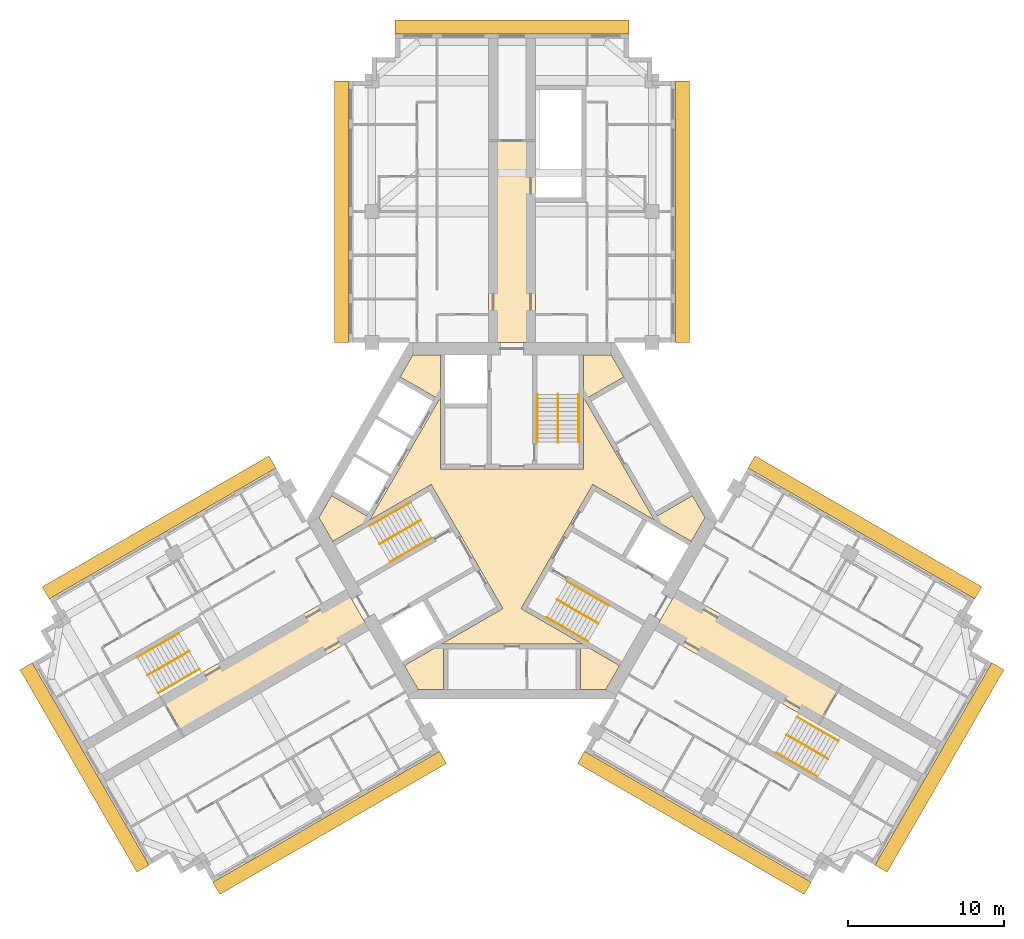
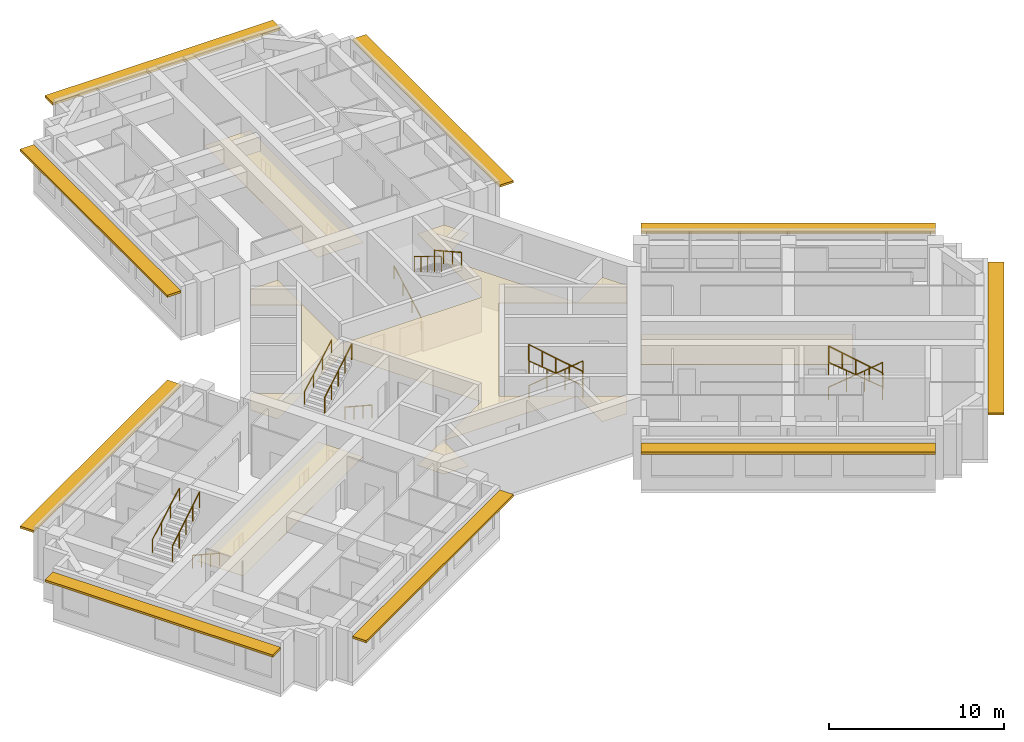
# One storey, part 10 of 10: 15 railings, 4 coverings, 3 shading devices.
"""IFC4 building model written with IfcOpenShell, lengths in metres."""

from ifc_helpers import new_model, si_unit, direction, frame, origin, origin_2d, place, context, subcontext, project, spatial, polyline, rectangle, circle, outline, extrude, material, layer, layer_set, type_object, element, save


model = new_model("IFC4")

# Units and contexts
model_context = context("Model", 3, precision=1e-05, world=origin(), true_north=direction((0.0, 1.0)))
body_context = subcontext(model_context, "Body", "Model", "MODEL_VIEW")
ifc_project = project(units=[si_unit("LENGTHUNIT", "METRE"), si_unit("AREAUNIT", "SQUARE_METRE"), si_unit("VOLUMEUNIT", "CUBIC_METRE"), si_unit("PLANEANGLEUNIT", "RADIAN"), si_unit("MASSUNIT", "GRAM", prefix="KILO")], contexts=[model_context])

# Site, building, storey
site_placement = place(None, origin())
site = spatial("IfcSite", under=ifc_project, at=site_placement, CompositionType="ELEMENT")
building_placement = place(site_placement, origin())
building = spatial("IfcBuilding", under=site, at=building_placement, Name="Impinga Residences", CompositionType="ELEMENT")
storey_placement = place(building_placement, frame((0.0, 0.0, 271.0)))
storey = spatial("IfcBuildingStorey", under=building, at=storey_placement, Name="L68", CompositionType="ELEMENT", Elevation=271.0)

# Coverings
ifc_material_1 = material(Name="Plasterboard 15 mm on steel hangers", Category="steel")
ifc_layer_1 = layer(ifc_material_1, 0.014892578125)
ifc_layer_set_1 = layer_set([ifc_layer_1], Name="Plasterboard 15 mm on steel hangers")
covering_type_1 = type_object("IfcCoveringType", Name="CL1 corridor ceiling, 15 mm plasterboard on hangers", PredefinedType="CEILING", material=ifc_layer_set_1)
covering_1_placement = place(storey_placement, frame((0.0, 0.0, 2.39990234375)))
element("IfcCovering", 1, at=covering_1_placement, inside=storey, type_object=covering_type_1, Name="Corridor ceiling CL1 L68-N00", PredefinedType="CEILING", context=body_context, shape_type="SweptSolid", body=[
    extrude(outline(polyline([(-1.5, 11.431640625), (1.5, 11.431640625), (1.5, 24.33154296875), (-1.5, 24.33154296875), (-1.5, 11.431640625)])), origin(), (0.0, 0.0, 1.0), 0.01513671875),
])
covering_2_placement = place(storey_placement, frame((0.0, 0.0, 2.39990234375)))
element("IfcCovering", 2, at=covering_2_placement, inside=storey, type_object=covering_type_1, Name="Corridor ceiling CL1 L68-W00", PredefinedType="CEILING", context=body_context, shape_type="SweptSolid", body=[
    extrude(outline(polyline([(-9.14990234375, -7.014892578125), (-10.64990234375, -4.416748046875), (-22.5146484375, -11.266845703125), (-21.0146484375, -13.86474609375), (-9.14990234375, -7.014892578125)])), origin(), (0.0, 0.0, 1.0), 0.01513671875),
])
covering_3_placement = place(storey_placement, frame((0.0, 0.0, 2.39990234375)))
element("IfcCovering", 3, at=covering_3_placement, inside=storey, type_object=covering_type_1, Name="Corridor ceiling CL1 L68-E00", PredefinedType="CEILING", context=body_context, shape_type="SweptSolid", body=[
    extrude(outline(polyline([(10.64990234375, -4.416748046875), (9.14990234375, -7.014892578125), (19.62890625, -13.064697265625), (21.12890625, -10.466796875), (10.64990234375, -4.416748046875)])), origin(), (0.0, 0.0, 1.0), 0.01513671875),
])
ifc_material_2 = material(Name="Mineral fibre tiles 20 mm on exposed grid", Category="mineral fibre")
ifc_layer_2 = layer(ifc_material_2, 0.02001953125)
ifc_layer_set_2 = layer_set([ifc_layer_2], Name="CL2 lift lobby ceiling, 20 mm mineral fibre tiles")
covering_type_2 = type_object("IfcCoveringType", Name="CL2 lift lobby ceiling, 20 mm mineral fibre tiles", PredefinedType="CEILING", material=ifc_layer_set_2)
covering_4_placement = place(storey_placement, frame((0.0, 0.0, 2.39990234375)))
element("IfcCovering", 4, at=covering_4_placement, inside=storey, type_object=covering_type_2, Name="Lift lobby ceiling CL2 L68-C01", PredefinedType="CEILING", context=body_context, shape_type="SweptSolid", body=[
    extrude(outline(polyline([(12.3916015625, 0.199951171875), (11.507080078125, -1.33203125), (5.183837890625, 2.318603515625), (0.583984375, -5.648681640625), (6.9072265625, -9.299560546875), (6.022705078125, -10.83154296875), (4.39990234375, -10.83154296875), (4.39990234375, -7.931640625), (-4.39990234375, -7.931640625), (-4.39990234375, -10.83154296875), (-6.022705078125, -10.83154296875), (-6.9072265625, -9.299560546875), (-0.583984375, -5.648681640625), (-5.183837890625, 2.318603515625), (-11.507080078125, -1.33203125), (-12.3916015625, 0.199951171875), (-11.580322265625, 1.605224609375), (-9.06884765625, 0.1552734375), (-4.6689453125, 7.7763671875), (-7.180419921875, 9.226318359375), (-6.369140625, 10.631591796875), (-4.60009765625, 10.631591796875), (-4.60009765625, 3.330078125), (4.60009765625, 3.330078125), (4.60009765625, 10.631591796875), (6.369140625, 10.631591796875), (7.180419921875, 9.226318359375), (4.6689453125, 7.7763671875), (9.06884765625, 0.1552734375), (11.580322265625, 1.605224609375), (12.3916015625, 0.199951171875)])), origin(), (0.0, 0.0, 1.0), 0.02001953125),
])

# Railings
ifc_material_3 = material(Name="Steel guard, powder coated", Category="steel")
railing_type_1 = type_object("IfcRailingType", Name="GR1 stair guard 1100", PredefinedType="GUARDRAIL", material=ifc_material_3)
railing_1_placement = place(storey_placement, frame((2.949951171875, 8.110107421875, 1.875)))
element("IfcRailing", 5, at=railing_1_placement, inside=storey, type_object=railing_type_1, Name="Stair guard GR1 ST1 L68", PredefinedType="GUARDRAIL", context=body_context, shape_type="SweptSolid", body=[
    extrude(circle(Radius=0.02392578125, at=origin_2d()), frame((0.0, 0.0, 1.076171875), z_axis=(0.0, -0.854177636135, 0.519981313056), x_axis=(1.0, 0.0, 0.0)), (0.0, 0.0, 1.0), 3.60595703125),
    extrude(circle(Radius=0.02099609375, at=origin_2d()), origin(), (0.0, 0.0, 1.0), 1.052001953125),
    extrude(circle(Radius=0.02099609375, at=origin_2d()), frame((0.0, -0.77001953125, 0.46875)), (0.0, 0.0, 1.0), 1.052001953125),
    extrude(circle(Radius=0.02099609375, at=origin_2d()), frame((0.0, -1.5400390625, 0.9375)), (0.0, 0.0, 1.0), 1.052001953125),
    extrude(circle(Radius=0.02099609375, at=origin_2d()), frame((0.0, -2.31005859375, 1.40625)), (0.0, 0.0, 1.0), 1.052001953125),
    extrude(circle(Radius=0.02099609375, at=origin_2d()), frame((0.0, -3.080078125, 1.875)), (0.0, 0.0, 1.0), 1.052001953125),
])
railing_2_placement = place(storey_placement, frame((-8.49853515625, -1.500244140625, 1.875)))
element("IfcRailing", 6, at=railing_2_placement, inside=storey, type_object=railing_type_1, Name="Stair guard GR1 ST2 L68", PredefinedType="GUARDRAIL", context=body_context, shape_type="SweptSolid", body=[
    extrude(circle(Radius=0.02392578125, at=origin_2d()), frame((0.0, 0.0, 1.076171875), z_axis=(0.739746383972, 0.427084037168, 0.519975492303), x_axis=(-0.499992328818, 0.866029832698, 0.0)), (0.0, 0.0, 1.0), 3.60595703125),
    extrude(circle(Radius=0.02099609375, at=origin_2d()), origin(), (0.0, 0.0, 1.0), 1.052001953125),
    extrude(circle(Radius=0.02099609375, at=origin_2d()), frame((0.6669921875, 0.385009765625, 0.46875)), (0.0, 0.0, 1.0), 1.052001953125),
    extrude(circle(Radius=0.02099609375, at=origin_2d()), frame((1.333740234375, 0.77001953125, 0.9375)), (0.0, 0.0, 1.0), 1.052001953125),
    extrude(circle(Radius=0.02099609375, at=origin_2d()), frame((2.00048828125, 1.155029296875, 1.40625)), (0.0, 0.0, 1.0), 1.052001953125),
    extrude(circle(Radius=0.02099609375, at=origin_2d()), frame((2.66748046875, 1.5400390625, 1.875)), (0.0, 0.0, 1.0), 1.052001953125),
])
railing_3_placement = place(storey_placement, frame((5.548583984375, -6.60986328125, 1.875)))
element("IfcRailing", 7, at=railing_3_placement, inside=storey, type_object=railing_type_1, Name="Stair guard GR1 ST3 L68", PredefinedType="GUARDRAIL", context=body_context, shape_type="SweptSolid", body=[
    extrude(circle(Radius=0.02392578125, at=origin_2d()), frame((0.0, 0.0, 1.076171875), z_axis=(-0.739746383972, 0.427084037168, 0.519975492303), x_axis=(-0.499992328818, -0.866029832698, 0.0)), (0.0, 0.0, 1.0), 3.60595703125),
    extrude(circle(Radius=0.02099609375, at=origin_2d()), origin(), (0.0, 0.0, 1.0), 1.052001953125),
    extrude(circle(Radius=0.02099609375, at=origin_2d()), frame((-0.6669921875, 0.385009765625, 0.46875)), (0.0, 0.0, 1.0), 1.052001953125),
    extrude(circle(Radius=0.02099609375, at=origin_2d()), frame((-1.333740234375, 0.77001953125, 0.9375)), (0.0, 0.0, 1.0), 1.052001953125),
    extrude(circle(Radius=0.02099609375, at=origin_2d()), frame((-2.00048828125, 1.155029296875, 1.40625)), (0.0, 0.0, 1.0), 1.052001953125),
    extrude(circle(Radius=0.02099609375, at=origin_2d()), frame((-2.66748046875, 1.5400390625, 1.875)), (0.0, 0.0, 1.0), 1.052001953125),
])
railing_4_placement = place(storey_placement, frame((-23.3837890625, -9.921142578125, 1.875)))
element("IfcRailing", 8, at=railing_4_placement, inside=storey, type_object=railing_type_1, Name="Stair guard GR1 WS2 L68", PredefinedType="GUARDRAIL", context=body_context, shape_type="SweptSolid", body=[
    extrude(circle(Radius=0.02392578125, at=origin_2d()), frame((0.0, 0.0, 1.076171875), z_axis=(0.739715726454, 0.427105428144, 0.52000153585), x_axis=(-0.500026652407, 0.866010015463, 0.0)), (0.0, 0.0, 1.0), 3.605712890625),
    extrude(circle(Radius=0.02099609375, at=origin_2d()), origin(), (0.0, 0.0, 1.0), 1.052001953125),
    extrude(circle(Radius=0.02099609375, at=origin_2d()), frame((0.666748046875, 0.385009765625, 0.46875)), (0.0, 0.0, 1.0), 1.052001953125),
    extrude(circle(Radius=0.02099609375, at=origin_2d()), frame((1.33349609375, 0.77001953125, 0.9375)), (0.0, 0.0, 1.0), 1.052001953125),
    extrude(circle(Radius=0.02099609375, at=origin_2d()), frame((2.00048828125, 1.155029296875, 1.40625)), (0.0, 0.0, 1.0), 1.052001953125),
    extrude(circle(Radius=0.02099609375, at=origin_2d()), frame((2.667236328125, 1.5400390625, 1.875)), (0.0, 0.0, 1.0), 1.052001953125),
])
railing_5_placement = place(storey_placement, frame((20.283935546875, -15.29052734375, 1.875)))
element("IfcRailing", 9, at=railing_5_placement, inside=storey, type_object=railing_type_1, Name="Stair guard GR1 WS3 L68", PredefinedType="GUARDRAIL", context=body_context, shape_type="SweptSolid", body=[
    extrude(circle(Radius=0.02392578125, at=origin_2d()), frame((0.0, 0.0, 1.076171875), z_axis=(-0.739746383972, 0.427084037168, 0.519975492303), x_axis=(-0.499992328818, -0.866029832698, 0.0)), (0.0, 0.0, 1.0), 3.60595703125),
    extrude(circle(Radius=0.02099609375, at=origin_2d()), origin(), (0.0, 0.0, 1.0), 1.052001953125),
    extrude(circle(Radius=0.02099609375, at=origin_2d()), frame((-0.6669921875, 0.385009765625, 0.46875)), (0.0, 0.0, 1.0), 1.052001953125),
    extrude(circle(Radius=0.02099609375, at=origin_2d()), frame((-1.333740234375, 0.77001953125, 0.9375)), (0.0, 0.0, 1.0), 1.052001953125),
    extrude(circle(Radius=0.02099609375, at=origin_2d()), frame((-2.00048828125, 1.155029296875, 1.40625)), (0.0, 0.0, 1.0), 1.052001953125),
    extrude(circle(Radius=0.02099609375, at=origin_2d()), frame((-2.66748046875, 1.5400390625, 1.875)), (0.0, 0.0, 1.0), 1.052001953125),
])
ifc_material_4 = material(Name="Steel handrail tube 42 mm, powder coated", Category="steel")
railing_type_2 = type_object("IfcRailingType", Name="HR1 stair handrail, 42 mm steel tube, 900 above the pitch line", PredefinedType="HANDRAIL", material=ifc_material_4)
railing_6_placement = place(storey_placement, frame((1.62109375, 5.030029296875, 0.15625)))
element("IfcRailing", 10, at=railing_6_placement, inside=storey, type_object=railing_type_2, Name="Stair handrail HR1 ST1 L68", PredefinedType="HANDRAIL", context=body_context, shape_type="SweptSolid", body=[
    extrude(circle(Radius=0.02099609375, at=origin_2d()), frame((0.0, 0.0, 0.87890625), z_axis=(0.0, 0.873241540666, 0.487287606713), x_axis=(-1.0, 0.0, 0.0)), (0.0, 0.0, 1.0), 3.527099609375),
    extrude(circle(Radius=0.012451171875, at=origin_2d()), origin(), (0.0, 0.0, 1.0), 0.85791015625),
    extrude(circle(Radius=0.012451171875, at=origin_2d()), frame((0.0, 1.026611328125, 0.572998046875)), (0.0, 0.0, 1.0), 0.85791015625),
    extrude(circle(Radius=0.012451171875, at=origin_2d()), frame((0.0, 2.053466796875, 1.145751953125)), (0.0, 0.0, 1.0), 0.85791015625),
    extrude(circle(Radius=0.012451171875, at=origin_2d()), frame((0.0, 3.080078125, 1.71875)), (0.0, 0.0, 1.0), 0.85791015625),
])
railing_7_placement = place(storey_placement, frame((4.279052734375, 8.110107421875, 2.03125)))
element("IfcRailing", 11, at=railing_7_placement, inside=storey, type_object=railing_type_2, Name="Stair handrail HR1 ST1 L68", PredefinedType="HANDRAIL", context=body_context, shape_type="SweptSolid", body=[
    extrude(circle(Radius=0.02099609375, at=origin_2d()), frame((0.0, 0.0, 0.87890625), z_axis=(0.0, -0.873241540666, 0.487287606713), x_axis=(1.0, 0.0, 0.0)), (0.0, 0.0, 1.0), 3.527099609375),
    extrude(circle(Radius=0.012451171875, at=origin_2d()), origin(), (0.0, 0.0, 1.0), 0.85791015625),
    extrude(circle(Radius=0.012451171875, at=origin_2d()), frame((0.0, -1.026611328125, 0.572998046875)), (0.0, 0.0, 1.0), 0.85791015625),
    extrude(circle(Radius=0.012451171875, at=origin_2d()), frame((0.0, -2.053466796875, 1.145751953125)), (0.0, 0.0, 1.0), 0.85791015625),
    extrude(circle(Radius=0.012451171875, at=origin_2d()), frame((0.0, -3.080078125, 1.71875)), (0.0, 0.0, 1.0), 0.85791015625),
])
railing_8_placement = place(storey_placement, frame((-5.16650390625, -1.111083984375, 0.15625)))
element("IfcRailing", 12, at=railing_8_placement, inside=storey, type_object=railing_type_2, Name="Stair handrail HR1 ST2 L68", PredefinedType="HANDRAIL", context=body_context, shape_type="SweptSolid", body=[
    extrude(circle(Radius=0.02099609375, at=origin_2d()), frame((0.0, 0.0, 0.87890625), z_axis=(-0.756255980417, -0.436615662133, 0.487281905742), x_axis=(0.499992328818, -0.866029832698, 0.0)), (0.0, 0.0, 1.0), 3.527099609375),
    extrude(circle(Radius=0.012451171875, at=origin_2d()), origin(), (0.0, 0.0, 1.0), 0.85791015625),
    extrude(circle(Radius=0.012451171875, at=origin_2d()), frame((-0.88916015625, -0.513427734375, 0.572998046875)), (0.0, 0.0, 1.0), 0.85791015625),
    extrude(circle(Radius=0.012451171875, at=origin_2d()), frame((-1.7783203125, -1.026611328125, 1.145751953125)), (0.0, 0.0, 1.0), 0.85791015625),
    extrude(circle(Radius=0.012451171875, at=origin_2d()), frame((-2.66748046875, -1.5400390625, 1.71875)), (0.0, 0.0, 1.0), 0.85791015625),
])
railing_9_placement = place(storey_placement, frame((-9.1630859375, -0.349365234375, 2.03125)))
element("IfcRailing", 13, at=railing_9_placement, inside=storey, type_object=railing_type_2, Name="Stair handrail HR1 ST2 L68", PredefinedType="HANDRAIL", context=body_context, shape_type="SweptSolid", body=[
    extrude(circle(Radius=0.02099609375, at=origin_2d()), frame((0.0, 0.0, 0.87890625), z_axis=(0.756255980417, 0.436615662133, 0.487281905742), x_axis=(-0.499992328818, 0.866029832698, 0.0)), (0.0, 0.0, 1.0), 3.527099609375),
    extrude(circle(Radius=0.012451171875, at=origin_2d()), origin(), (0.0, 0.0, 1.0), 0.85791015625),
    extrude(circle(Radius=0.012451171875, at=origin_2d()), frame((0.88916015625, 0.513427734375, 0.572998046875)), (0.0, 0.0, 1.0), 0.85791015625),
    extrude(circle(Radius=0.012451171875, at=origin_2d()), frame((1.7783203125, 1.026611328125, 1.145751953125)), (0.0, 0.0, 1.0), 0.85791015625),
    extrude(circle(Radius=0.012451171875, at=origin_2d()), frame((2.66748046875, 1.5400390625, 1.71875)), (0.0, 0.0, 1.0), 0.85791015625),
])
railing_10_placement = place(storey_placement, frame((3.545654296875, -3.9189453125, 0.15625)))
element("IfcRailing", 14, at=railing_10_placement, inside=storey, type_object=railing_type_2, Name="Stair handrail HR1 ST3 L68", PredefinedType="HANDRAIL", context=body_context, shape_type="SweptSolid", body=[
    extrude(circle(Radius=0.02099609375, at=origin_2d()), frame((0.0, 0.0, 0.87890625), z_axis=(0.756249203677, -0.436582492228, 0.487322141317), x_axis=(0.499967199496, 0.866044340336, 0.0)), (0.0, 0.0, 1.0), 3.52685546875),
    extrude(circle(Radius=0.012451171875, at=origin_2d()), origin(), (0.0, 0.0, 1.0), 0.85791015625),
    extrude(circle(Radius=0.012451171875, at=origin_2d()), frame((0.88916015625, -0.51318359375, 0.572998046875)), (0.0, 0.0, 1.0), 0.85791015625),
    extrude(circle(Radius=0.012451171875, at=origin_2d()), frame((1.778076171875, -1.026611328125, 1.145751953125)), (0.0, 0.0, 1.0), 0.85791015625),
    extrude(circle(Radius=0.012451171875, at=origin_2d()), frame((2.667236328125, -1.539794921875, 1.71875)), (0.0, 0.0, 1.0), 0.85791015625),
])
railing_11_placement = place(storey_placement, frame((4.884033203125, -7.7607421875, 2.03125)))
element("IfcRailing", 15, at=railing_11_placement, inside=storey, type_object=railing_type_2, Name="Stair handrail HR1 ST3 L68", PredefinedType="HANDRAIL", context=body_context, shape_type="SweptSolid", body=[
    extrude(circle(Radius=0.02099609375, at=origin_2d()), frame((0.0, 0.0, 0.87890625), z_axis=(-0.756255980417, 0.436615662133, 0.487281905742), x_axis=(-0.499992328818, -0.866029832698, 0.0)), (0.0, 0.0, 1.0), 3.527099609375),
    extrude(circle(Radius=0.012451171875, at=origin_2d()), origin(), (0.0, 0.0, 1.0), 0.85791015625),
    extrude(circle(Radius=0.012451171875, at=origin_2d()), frame((-0.88916015625, 0.513427734375, 0.572998046875)), (0.0, 0.0, 1.0), 0.85791015625),
    extrude(circle(Radius=0.012451171875, at=origin_2d()), frame((-1.7783203125, 1.026611328125, 1.145751953125)), (0.0, 0.0, 1.0), 0.85791015625),
    extrude(circle(Radius=0.012451171875, at=origin_2d()), frame((-2.66748046875, 1.5400390625, 1.71875)), (0.0, 0.0, 1.0), 0.85791015625),
])
railing_12_placement = place(storey_placement, frame((-20.052001953125, -9.531982421875, 0.15625)))
element("IfcRailing", 16, at=railing_12_placement, inside=storey, type_object=railing_type_2, Name="Stair handrail HR1 WS2 L68", PredefinedType="HANDRAIL", context=body_context, shape_type="SweptSolid", body=[
    extrude(circle(Radius=0.02099609375, at=origin_2d()), frame((0.0, 0.0, 0.87890625), z_axis=(-0.756226348243, -0.436638517594, 0.487307413422), x_axis=(0.500026652407, -0.866010015463, 0.0)), (0.0, 0.0, 1.0), 3.527099609375),
    extrude(circle(Radius=0.012451171875, at=origin_2d()), origin(), (0.0, 0.0, 1.0), 0.85791015625),
    extrude(circle(Radius=0.012451171875, at=origin_2d()), frame((-0.88916015625, -0.513427734375, 0.572998046875)), (0.0, 0.0, 1.0), 0.85791015625),
    extrude(circle(Radius=0.012451171875, at=origin_2d()), frame((-1.778076171875, -1.026611328125, 1.145751953125)), (0.0, 0.0, 1.0), 0.85791015625),
    extrude(circle(Radius=0.012451171875, at=origin_2d()), frame((-2.667236328125, -1.5400390625, 1.71875)), (0.0, 0.0, 1.0), 0.85791015625),
])
railing_13_placement = place(storey_placement, frame((-24.04833984375, -8.77001953125, 2.03125)))
element("IfcRailing", 17, at=railing_13_placement, inside=storey, type_object=railing_type_2, Name="Stair handrail HR1 WS2 L68", PredefinedType="HANDRAIL", context=body_context, shape_type="SweptSolid", body=[
    extrude(circle(Radius=0.02099609375, at=origin_2d()), frame((0.0, 0.0, 0.87890625), z_axis=(0.756278834354, 0.436559638319, 0.487296631324), x_axis=(-0.499932877268, 0.866064153644, 0.0)), (0.0, 0.0, 1.0), 3.527099609375),
    extrude(circle(Radius=0.012451171875, at=origin_2d()), origin(), (0.0, 0.0, 1.0), 0.85791015625),
    extrude(circle(Radius=0.012451171875, at=origin_2d()), frame((0.88916015625, 0.51318359375, 0.572998046875)), (0.0, 0.0, 1.0), 0.85791015625),
    extrude(circle(Radius=0.012451171875, at=origin_2d()), frame((1.7783203125, 1.026611328125, 1.145751953125)), (0.0, 0.0, 1.0), 0.85791015625),
    extrude(circle(Radius=0.012451171875, at=origin_2d()), frame((2.66748046875, 1.539794921875, 1.71875)), (0.0, 0.0, 1.0), 0.85791015625),
])
railing_14_placement = place(storey_placement, frame((18.281005859375, -12.599609375, 0.15625)))
element("IfcRailing", 18, at=railing_14_placement, inside=storey, type_object=railing_type_2, Name="Stair handrail HR1 WS3 L68", PredefinedType="HANDRAIL", context=body_context, shape_type="SweptSolid", body=[
    extrude(circle(Radius=0.02099609375, at=origin_2d()), frame((0.0, 0.0, 0.87890625), z_axis=(0.756249203677, -0.436582492228, 0.487322141317), x_axis=(0.499967199496, 0.866044340336, 0.0)), (0.0, 0.0, 1.0), 3.52685546875),
    extrude(circle(Radius=0.012451171875, at=origin_2d()), origin(), (0.0, 0.0, 1.0), 0.85791015625),
    extrude(circle(Radius=0.012451171875, at=origin_2d()), frame((0.88916015625, -0.51318359375, 0.572998046875)), (0.0, 0.0, 1.0), 0.85791015625),
    extrude(circle(Radius=0.012451171875, at=origin_2d()), frame((1.778076171875, -1.026611328125, 1.145751953125)), (0.0, 0.0, 1.0), 0.85791015625),
    extrude(circle(Radius=0.012451171875, at=origin_2d()), frame((2.667236328125, -1.539794921875, 1.71875)), (0.0, 0.0, 1.0), 0.85791015625),
])
railing_15_placement = place(storey_placement, frame((19.619384765625, -16.44140625, 2.03125)))
element("IfcRailing", 19, at=railing_15_placement, inside=storey, type_object=railing_type_2, Name="Stair handrail HR1 WS3 L68", PredefinedType="HANDRAIL", context=body_context, shape_type="SweptSolid", body=[
    extrude(circle(Radius=0.02099609375, at=origin_2d()), frame((0.0, 0.0, 0.87890625), z_axis=(-0.756255980417, 0.436615662133, 0.487281905742), x_axis=(-0.499992328818, -0.866029832698, 0.0)), (0.0, 0.0, 1.0), 3.527099609375),
    extrude(circle(Radius=0.012451171875, at=origin_2d()), origin(), (0.0, 0.0, 1.0), 0.85791015625),
    extrude(circle(Radius=0.012451171875, at=origin_2d()), frame((-0.88916015625, 0.513427734375, 0.572998046875)), (0.0, 0.0, 1.0), 0.85791015625),
    extrude(circle(Radius=0.012451171875, at=origin_2d()), frame((-1.7783203125, 1.026611328125, 1.145751953125)), (0.0, 0.0, 1.0), 0.85791015625),
    extrude(circle(Radius=0.012451171875, at=origin_2d()), frame((-2.66748046875, 1.5400390625, 1.71875)), (0.0, 0.0, 1.0), 0.85791015625),
])

# Shading devices
ifc_material_5 = material(Name="Terracotta sunshade blades on aluminium brackets", Category="masonry")
ifc_layer_3 = layer(ifc_material_5, 0.14990234375)
ifc_layer_set_3 = layer_set([ifc_layer_3], Name="SS1 SUNSHADE terracotta sunshade band 900")
shading_device_type = type_object("IfcShadingDeviceType", Name="SS1 SUNSHADE terracotta sunshade band 900", PredefinedType="USERDEFINED", material=ifc_layer_set_3)
shading_device_1_placement = place(storey_placement, frame((-10.949951171875, 19.83154296875, 3.10009765625), z_axis=(0.0, 0.0, 1.0), x_axis=(0.0, 1.0, 0.0)))
element("IfcShadingDevice", 20, at=shading_device_1_placement, inside=storey, type_object=shading_device_type, Name="SUNSHADE band L68 NORTH WING", ObjectType="SUNSHADE", PredefinedType="USERDEFINED", context=body_context, shape_type="SweptSolid", body=[
    extrude(rectangle(XDim=16.800048828125, YDim=0.89990234375, at=origin_2d()), origin(), (0.0, 0.0, 1.0), 0.14990234375),
    extrude(rectangle(XDim=15.0, YDim=0.89990234375, at=origin_2d()), frame((11.85009765625, -10.949951171875, 0.0), z_axis=(0.0, 0.0, 1.0), x_axis=(0.0, -1.0, 0.0)), (0.0, 0.0, 1.0), 0.14990234375),
    extrude(rectangle(XDim=16.800048828125, YDim=0.89990234375, at=origin_2d()), frame((0.0, -21.89990234375, 0.0), z_axis=(0.0, 0.0, 1.0), x_axis=(-1.0, 0.0, 0.0)), (0.0, 0.0, 1.0), 0.14990234375),
])
shading_device_2_placement = place(storey_placement, frame((-27.43701171875, -15.8408203125, 3.10009765625), z_axis=(0.0, 0.0, 1.0), x_axis=(-0.5, 0.866025403784, 0.0)))
element("IfcShadingDevice", 21, at=shading_device_2_placement, inside=storey, type_object=shading_device_type, Name="SUNSHADE band L68 WEST WING", ObjectType="SUNSHADE", PredefinedType="USERDEFINED", context=body_context, shape_type="SweptSolid", body=[
    extrude(rectangle(XDim=15.0, YDim=0.89990234375, at=origin_2d()), origin(), (0.0, 0.0, 1.0), 0.14990234375),
    extrude(rectangle(XDim=16.800048828125, YDim=0.89990234375, at=origin_2d()), frame((10.949951171875, -11.849853515625, 0.0), z_axis=(0.0, 0.0, 1.0), x_axis=(0.0, -1.0, 0.0)), (0.0, 0.0, 1.0), 0.14990234375),
    extrude(rectangle(XDim=16.800048828125, YDim=0.89990234375, at=origin_2d()), frame((-10.949951171875, -11.849853515625, 0.0), z_axis=(0.0, 0.0, 1.0), x_axis=(0.0, 1.0, 0.0)), (0.0, 0.0, 1.0), 0.14990234375),
])
shading_device_3_placement = place(storey_placement, frame((22.649658203125, -0.432861328125, 3.10009765625), z_axis=(0.0, 0.0, 1.0), x_axis=(0.866025403784, -0.5, 0.0)))
element("IfcShadingDevice", 22, at=shading_device_3_placement, inside=storey, type_object=shading_device_type, Name="SUNSHADE band L68 EAST WING", ObjectType="SUNSHADE", PredefinedType="USERDEFINED", context=body_context, shape_type="SweptSolid", body=[
    extrude(rectangle(XDim=16.800048828125, YDim=0.89990234375, at=origin_2d()), origin(), (0.0, 0.0, 1.0), 0.14990234375),
    extrude(rectangle(XDim=15.0, YDim=0.89990234375, at=origin_2d()), frame((11.849853515625, -10.949951171875, 0.0), z_axis=(0.0, 0.0, 1.0), x_axis=(0.0, -1.0, 0.0)), (0.0, 0.0, 1.0), 0.14990234375),
    extrude(rectangle(XDim=16.800048828125, YDim=0.89990234375, at=origin_2d()), frame((0.0, -21.89990234375, 0.0), z_axis=(0.0, 0.0, 1.0), x_axis=(-1.0, 0.0, 0.0)), (0.0, 0.0, 1.0), 0.14990234375),
])

save(model, "model.ifc")
